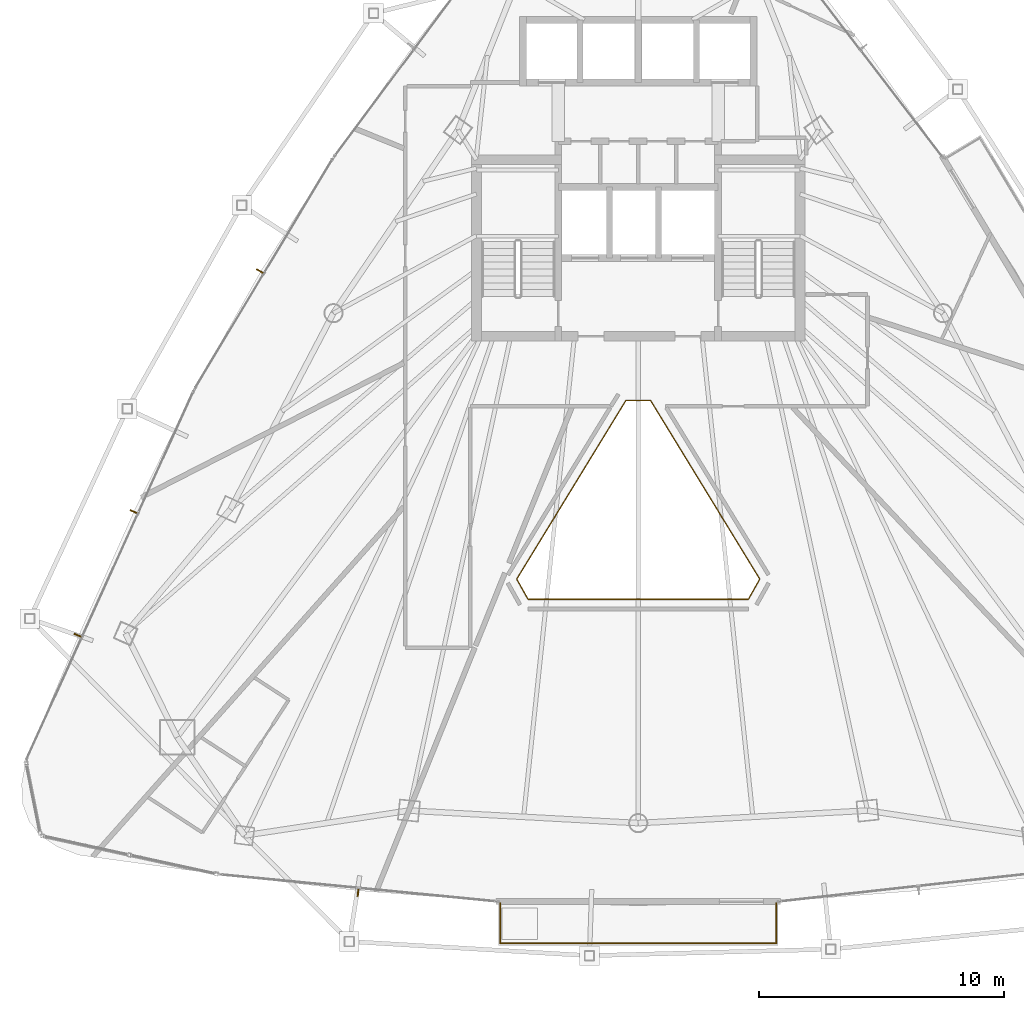
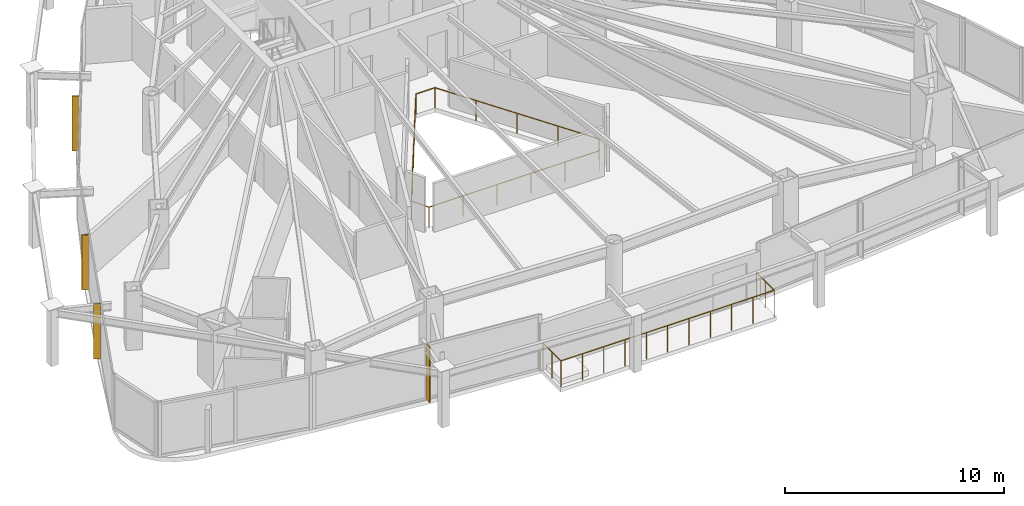
# One storey, part 29 of 31: 4 shading devices, 2 railings.
"""IFC4 building model written with IfcOpenShell, lengths in metres."""

from ifc_helpers import new_model, si_unit, direction, frame, origin, origin_2d, place, context, subcontext, project, spatial, rectangle, circle, extrude, material, layer, layer_set, type_object, element, save


model = new_model("IFC4")

# Units and contexts
model_context = context("Model", 3, precision=1e-05, world=origin(), true_north=direction((0.0, 1.0)))
body_context = subcontext(model_context, "Body", "Model", "MODEL_VIEW")
ifc_project = project(units=[si_unit("LENGTHUNIT", "METRE"), si_unit("AREAUNIT", "SQUARE_METRE"), si_unit("VOLUMEUNIT", "CUBIC_METRE"), si_unit("PLANEANGLEUNIT", "RADIAN"), si_unit("MASSUNIT", "GRAM", prefix="KILO")], contexts=[model_context])

# Site, building, storey
site_placement = place(None, origin())
site = spatial("IfcSite", under=ifc_project, at=site_placement, CompositionType="ELEMENT")
building_placement = place(site_placement, origin())
building = spatial("IfcBuilding", under=site, at=building_placement, Name="Orvanel Arch Residences", CompositionType="ELEMENT")
storey_placement = place(building_placement, frame((0.0, 0.0, 157.25)))
storey = spatial("IfcBuildingStorey", under=building, at=storey_placement, Name="L44", CompositionType="ELEMENT", Elevation=157.25)

# Shading devices
ifc_material = material(Name="Bronze-anodised aluminium AA6063-T6", Category="aluminium")
ifc_layer = layer(ifc_material, 0.054931640625)
ifc_layer_set = layer_set([ifc_layer], Name="Bronze-anodised aluminium AA6063-T6")
shading_device_type = type_object("IfcShadingDeviceType", Name="FIN-BRZ-320", PredefinedType="USERDEFINED", material=ifc_layer_set)
for number, where, z_axis, x_axis, name in (
    (1, (17.571044921875, 29.35302734375, 0.0), (0.0, 0.0, 1.0), (-0.857167300702, 0.51503807491, 0.0), "L44 Anodised Bronze Mullion FIN 01"),
    (2, (12.428955078125, 19.5458984375, 0.0), (0.0, 0.0, 1.0), (-0.910683660806, 0.413104429825, 0.0), "L44 Anodised Bronze Mullion FIN 01"),
    (3, (10.14111328125, 14.50390625, 0.0), (0.0, 0.0, 1.0), (-0.910683660806, 0.413104429825, 0.0), "L44 Anodised Bronze Mullion FIN 02"),
    (4, (21.572998046875, 4.010986328125, 0.0), (0.0, 0.0, 1.0), (-0.097582899759, -0.995227399982, 0.0), "L44 Anodised Bronze Mullion FIN 01"),
):
    element("IfcShadingDevice", number, at=place(storey_placement, frame(where, z_axis=z_axis, x_axis=x_axis)), inside=storey, type_object=shading_device_type, Name=name, ObjectType="FIN", PredefinedType="USERDEFINED", context=body_context, shape_type="SweptSolid", body=[
        extrude(rectangle(XDim=0.320068359375, YDim=0.054931640625, at=origin_2d()), origin(), (0.0, 0.0, 1.0), 3.06005859375),
    ])

# Railings
railing_type_1 = type_object("IfcRailingType", Name="RL-ATR-1150", PredefinedType="BALUSTRADE", material=ifc_material)
railing_1_placement = place(storey_placement, frame((33.501953125, 24.0791015625, 0.0)))
element("IfcRailing", 5, at=railing_1_placement, inside=storey, type_object=railing_type_1, Name="L44 Atrium Void Protective Balustrade", PredefinedType="BALUSTRADE", context=body_context, shape_type="SweptSolid", body=[
    extrude(circle(Radius=0.02392578125, at=origin_2d()), frame((-0.00146484375, 0.0, 1.1259765625), z_axis=(-1.0, 0.0, 0.0), x_axis=(0.0, -1.0, 0.0)), (0.0, 0.0, 1.0), 1.0009765625),
    extrude(circle(Radius=0.02392578125, at=origin_2d()), frame((-1.004638671875, -0.001220703125, 1.1259765625), z_axis=(-0.521561065456, -0.853213956168, 0.0), x_axis=(0.853213956168, -0.521561065456, 0.0)), (0.0, 0.0, 1.0), 8.533203125),
    extrude(circle(Radius=0.02392578125, at=origin_2d()), frame((-5.455322265625, -7.284423828125, 1.1259765625), z_axis=(0.489053619287, -0.8722537231, 0.0), x_axis=(0.8722537231, 0.489053619287, 0.0)), (0.0, 0.0, 1.0), 0.93798828125),
    extrude(circle(Radius=0.02392578125, at=origin_2d()), frame((-4.994384765625, -8.10400390625, 1.1259765625), z_axis=(1.0, 0.0, 0.0), x_axis=(0.0, 1.0, 0.0)), (0.0, 0.0, 1.0), 8.98388671875),
    extrude(circle(Radius=0.02392578125, at=origin_2d()), frame((3.99169921875, -8.102783203125, 1.1259765625), z_axis=(0.489842588528, 0.871810896046, 0.0), x_axis=(-0.871810896046, 0.489842588528, 0.0)), (0.0, 0.0, 1.0), 0.9384765625),
    extrude(circle(Radius=0.02392578125, at=origin_2d()), frame((4.451416015625, -7.281982421875, 1.1259765625), z_axis=(-0.521561065456, 0.853213956168, 0.0), x_axis=(-0.853213956168, -0.521561065456, 0.0)), (0.0, 0.0, 1.0), 8.533203125),
    extrude(circle(Radius=0.02099609375, at=origin_2d()), origin(), (0.0, 0.0, 1.0), 1.099853515625),
    extrude(circle(Radius=0.02099609375, at=origin_2d()), frame((-1.00390625, 0.0, 0.0)), (0.0, 0.0, 1.0), 1.099853515625),
    extrude(circle(Radius=0.02099609375, at=origin_2d()), frame((-2.116943359375, -1.82080078125, 0.0)), (0.0, 0.0, 1.0), 1.099853515625),
    extrude(circle(Radius=0.02099609375, at=origin_2d()), frame((-3.22998046875, -3.6416015625, 0.0)), (0.0, 0.0, 1.0), 1.099853515625),
    extrude(circle(Radius=0.02099609375, at=origin_2d()), frame((-4.343017578125, -5.46240234375, 0.0)), (0.0, 0.0, 1.0), 1.099853515625),
    extrude(circle(Radius=0.02099609375, at=origin_2d()), frame((-5.4560546875, -7.283203125, 0.0)), (0.0, 0.0, 1.0), 1.099853515625),
    extrude(circle(Radius=0.02099609375, at=origin_2d()), frame((-4.995849609375, -8.10400390625, 0.0)), (0.0, 0.0, 1.0), 1.099853515625),
    extrude(circle(Radius=0.02099609375, at=origin_2d()), frame((-3.198486328125, -8.10400390625, 0.0)), (0.0, 0.0, 1.0), 1.099853515625),
    extrude(circle(Radius=0.02099609375, at=origin_2d()), frame((-1.401123046875, -8.10400390625, 0.0)), (0.0, 0.0, 1.0), 1.099853515625),
    extrude(circle(Radius=0.02099609375, at=origin_2d()), frame((0.396240234375, -8.10400390625, 0.0)), (0.0, 0.0, 1.0), 1.099853515625),
    extrude(circle(Radius=0.02099609375, at=origin_2d()), frame((2.193603515625, -8.10400390625, 0.0)), (0.0, 0.0, 1.0), 1.099853515625),
    extrude(circle(Radius=0.02099609375, at=origin_2d()), frame((3.990966796875, -8.10400390625, 0.0)), (0.0, 0.0, 1.0), 1.099853515625),
    extrude(circle(Radius=0.02099609375, at=origin_2d()), frame((4.4521484375, -7.283203125, 0.0)), (0.0, 0.0, 1.0), 1.099853515625),
    extrude(circle(Radius=0.02099609375, at=origin_2d()), frame((3.339111328125, -5.46240234375, 0.0)), (0.0, 0.0, 1.0), 1.099853515625),
    extrude(circle(Radius=0.02099609375, at=origin_2d()), frame((2.22607421875, -3.6416015625, 0.0)), (0.0, 0.0, 1.0), 1.099853515625),
    extrude(circle(Radius=0.02099609375, at=origin_2d()), frame((1.113037109375, -1.82080078125, 0.0)), (0.0, 0.0, 1.0), 1.099853515625),
])
railing_type_2 = type_object("IfcRailingType", Name="RL-BAL-1480", PredefinedType="BALUSTRADE", material=ifc_material)
railing_2_placement = place(storey_placement, frame((27.3759765625, 3.5810546875, 0.0)))
element("IfcRailing", 6, at=railing_2_placement, inside=storey, type_object=railing_type_2, Name="L44 Balcony Perimeter Guardrail Face 2", PredefinedType="BALUSTRADE", context=body_context, shape_type="SweptSolid", body=[
    extrude(circle(Radius=0.02392578125, at=origin_2d()), frame((0.0, -0.00146484375, 1.4560546875), z_axis=(0.0, -1.0, 0.0), x_axis=(1.0, 0.0, 0.0)), (0.0, 0.0, 1.0), 1.63720703125),
    extrude(circle(Radius=0.02392578125, at=origin_2d()), frame((0.00146484375, -1.64013671875, 1.4560546875), z_axis=(1.0, 0.0, 0.0), x_axis=(0.0, 1.0, 0.0)), (0.0, 0.0, 1.0), 11.2451171875),
    extrude(circle(Radius=0.02392578125, at=origin_2d()), frame((11.248046875, -1.638671875, 1.4560546875), z_axis=(0.0, 1.0, 0.0), x_axis=(-1.0, 0.0, 0.0)), (0.0, 0.0, 1.0), 1.63720703125),
    extrude(circle(Radius=0.02099609375, at=origin_2d()), origin(), (0.0, 0.0, 1.0), 1.429931640625),
    extrude(circle(Radius=0.02099609375, at=origin_2d()), frame((0.0, -0.820068359375, 0.0)), (0.0, 0.0, 1.0), 1.429931640625),
    extrude(circle(Radius=0.02099609375, at=origin_2d()), frame((0.0, -1.64013671875, 0.0)), (0.0, 0.0, 1.0), 1.429931640625),
    extrude(circle(Radius=0.02099609375, at=origin_2d()), frame((1.124755859375, -1.64013671875, 0.0)), (0.0, 0.0, 1.0), 1.429931640625),
    extrude(circle(Radius=0.02099609375, at=origin_2d()), frame((2.24951171875, -1.64013671875, 0.0)), (0.0, 0.0, 1.0), 1.429931640625),
    extrude(circle(Radius=0.02099609375, at=origin_2d()), frame((3.37451171875, -1.64013671875, 0.0)), (0.0, 0.0, 1.0), 1.429931640625),
    extrude(circle(Radius=0.02099609375, at=origin_2d()), frame((4.499267578125, -1.64013671875, 0.0)), (0.0, 0.0, 1.0), 1.429931640625),
    extrude(circle(Radius=0.02099609375, at=origin_2d()), frame((5.6240234375, -1.64013671875, 0.0)), (0.0, 0.0, 1.0), 1.429931640625),
    extrude(circle(Radius=0.02099609375, at=origin_2d()), frame((6.748779296875, -1.64013671875, 0.0)), (0.0, 0.0, 1.0), 1.429931640625),
    extrude(circle(Radius=0.02099609375, at=origin_2d()), frame((7.87353515625, -1.64013671875, 0.0)), (0.0, 0.0, 1.0), 1.429931640625),
    extrude(circle(Radius=0.02099609375, at=origin_2d()), frame((8.99853515625, -1.64013671875, 0.0)), (0.0, 0.0, 1.0), 1.429931640625),
    extrude(circle(Radius=0.02099609375, at=origin_2d()), frame((10.123291015625, -1.64013671875, 0.0)), (0.0, 0.0, 1.0), 1.429931640625),
    extrude(circle(Radius=0.02099609375, at=origin_2d()), frame((11.248046875, -1.64013671875, 0.0)), (0.0, 0.0, 1.0), 1.429931640625),
    extrude(circle(Radius=0.02099609375, at=origin_2d()), frame((11.248046875, -0.820068359375, 0.0)), (0.0, 0.0, 1.0), 1.429931640625),
    extrude(circle(Radius=0.02099609375, at=origin_2d()), frame((11.248046875, 0.0, 0.0)), (0.0, 0.0, 1.0), 1.429931640625),
])

save(model, "model.ifc")
